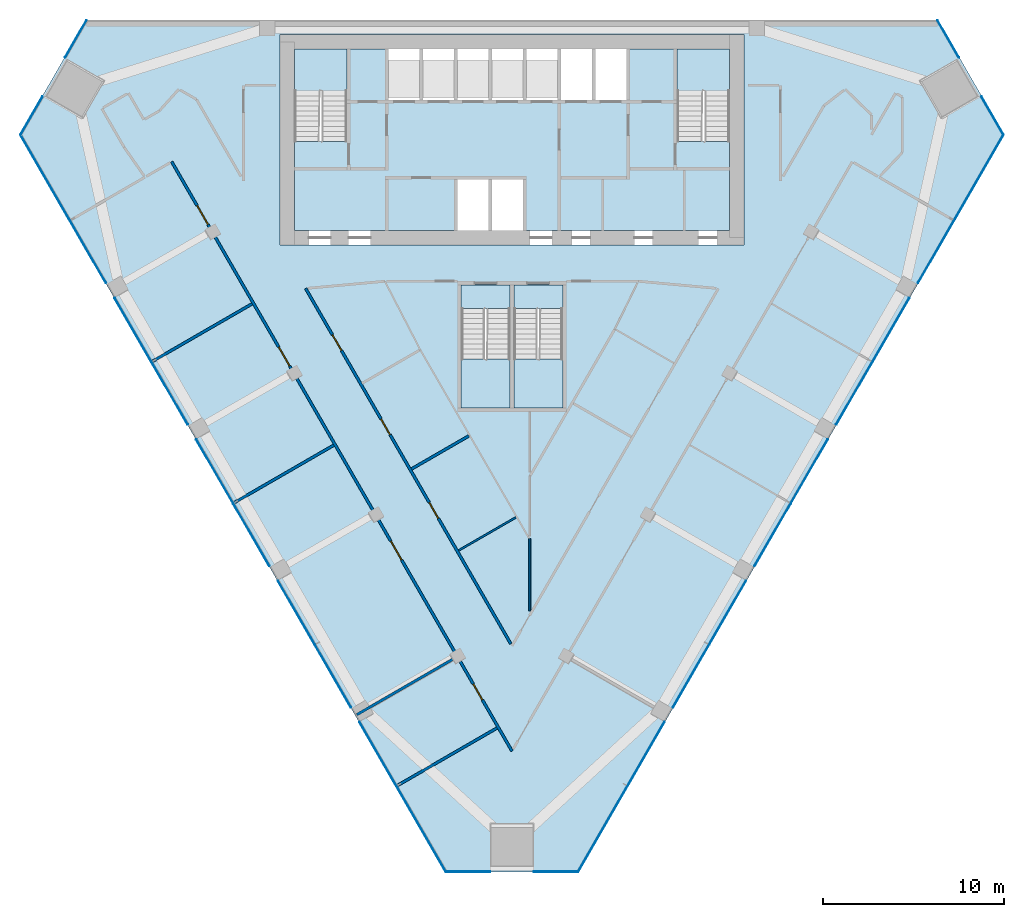
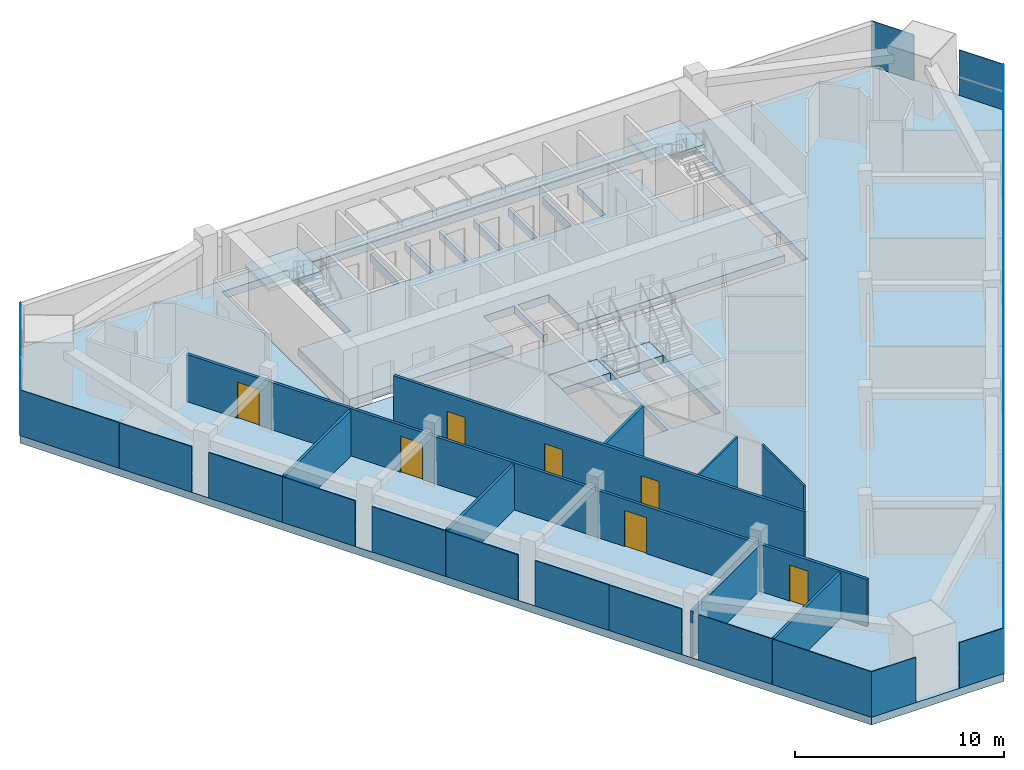
# One storey, part 8 of 13: 26 plates, 9 walls, 8 slabs, 7 doors, 7 openings, 9 elements without a shape of their own.
"""IFC4 building model written with IfcOpenShell, lengths in metres."""

from ifc_helpers import new_model, si_unit, direction, frame, frame_2d, origin, origin_2d, place, context, subcontext, project, spatial, polyline, rectangle, outline, extrude, material, layer, layer_set, type_object, element, fill, aggregate, save


model = new_model("IFC4")

# Units and contexts
model_context = context("Model", 3, precision=1e-05, world=origin(), true_north=direction((0.0, 1.0)))
body_context = subcontext(model_context, "Body", "Model", "MODEL_VIEW")
ifc_project = project(units=[si_unit("LENGTHUNIT", "METRE"), si_unit("AREAUNIT", "SQUARE_METRE"), si_unit("VOLUMEUNIT", "CUBIC_METRE"), si_unit("PLANEANGLEUNIT", "RADIAN"), si_unit("MASSUNIT", "GRAM", prefix="KILO")], contexts=[model_context])

# Site, building, storey
site_placement = place(None, origin())
site = spatial("IfcSite", under=ifc_project, at=site_placement, CompositionType="ELEMENT")
building_placement = place(site_placement, origin())
building = spatial("IfcBuilding", under=site, at=building_placement, Name="Altiplano Prism Tower", CompositionType="ELEMENT")
storey_placement = place(building_placement, frame((0.0, 0.0, 153.0)))
storey = spatial("IfcBuildingStorey", under=building, at=storey_placement, Name="L39", CompositionType="ELEMENT", Elevation=153.0)

# Curtain wall, plates
ifc_material_1 = material(Name="Aluminium and glass", Category="aluminium")
ifc_layer_1 = layer(ifc_material_1, 0.303955078125)
ifc_layer_set_1 = layer_set([ifc_layer_1], Name="Aluminium and glass")
curtain_wall_type = type_object("IfcCurtainWallType", Name="CW2 lounge-band unitised glazing", PredefinedType="NOTDEFINED", material=ifc_layer_set_1)
curtain_wall_1_placement = place(storey_placement, origin())
curtain_wall_1 = element("IfcCurtainWall", 1, at=curtain_wall_1_placement, inside=storey, type_object=curtain_wall_type, Name="CW2 curtain wall north-west chamfer L39", PredefinedType="NOTDEFINED")
ifc_material_2 = material(Name="Clear glass", Category="glass")
ifc_layer_2 = layer(ifc_material_2, 0.0439453125)
ifc_layer_set_2 = layer_set([ifc_layer_2], Name="Clear glass")
plate_type = type_object("IfcPlateType", Name="CW2 insulated glass unit 44", PredefinedType="CURTAIN_PANEL", material=ifc_layer_set_2)
plate_1_placement = place(storey_placement, frame((60.9580078125, 103.96142578125, 0.0), z_axis=(0.0, 0.0, 1.0), x_axis=(-0.500000010036, -0.86602539799, 0.0)))
plate_1 = element("IfcPlate", 2, at=plate_1_placement, type_object=plate_type, Name="CW2 panel", PredefinedType="CURTAIN_PANEL", context=body_context, shape_type="SweptSolid", body=[
    extrude(rectangle(XDim=2.363037109375, YDim=0.0439453125, at=origin_2d()), origin(), (0.0, 0.0, 1.0), 2.64990234375),
])
plate_2_placement = place(storey_placement, frame((58.511474609375, 99.723876953125, 0.0), z_axis=(0.0, 0.0, 1.0), x_axis=(-0.500000010036, -0.86602539799, 0.0)))
plate_2 = element("IfcPlate", 3, at=plate_2_placement, type_object=plate_type, Name="CW2 panel", PredefinedType="CURTAIN_PANEL", context=body_context, shape_type="SweptSolid", body=[
    extrude(rectangle(XDim=2.443115234375, YDim=0.0439453125, at=origin_2d()), origin(), (0.0, 0.0, 1.0), 2.64990234375),
])
aggregate(curtain_wall_1, [plate_1, plate_2])

curtain_wall_2_placement = place(storey_placement, origin())
curtain_wall_2 = element("IfcCurtainWall", 4, at=curtain_wall_2_placement, inside=storey, type_object=curtain_wall_type, Name="CW2 curtain wall south-west face L39", PredefinedType="NOTDEFINED")
plate_3_placement = place(storey_placement, frame((59.26513671875, 96.316162109375, 0.0), z_axis=(0.0, 0.0, 1.0), x_axis=(0.499999999516, -0.866025404064, 0.0)))
plate_3 = element("IfcPlate", 5, at=plate_3_placement, type_object=plate_type, Name="CW2 panel", PredefinedType="CURTAIN_PANEL", context=body_context, shape_type="SweptSolid", body=[
    extrude(rectangle(XDim=5.457763671875, YDim=0.0439453125, at=origin_2d()), origin(), (0.0, 0.0, 1.0), 2.64990234375),
])
plate_4_placement = place(storey_placement, frame((61.631103515625, 92.218505859375, 0.0), z_axis=(0.0, 0.0, 1.0), x_axis=(0.499999999516, -0.866025404064, 0.0)))
plate_4 = element("IfcPlate", 6, at=plate_4_placement, type_object=plate_type, Name="CW2 panel", PredefinedType="CURTAIN_PANEL", context=body_context, shape_type="SweptSolid", body=[
    extrude(rectangle(XDim=3.985595703125, YDim=0.0439453125, at=origin_2d()), origin(), (0.0, 0.0, 1.0), 2.64990234375),
])
plate_5_placement = place(storey_placement, frame((64.113525390625, 87.918701171875, 0.0), z_axis=(0.0, 0.0, 1.0), x_axis=(0.499999999516, -0.866025404064, 0.0)))
plate_5 = element("IfcPlate", 7, at=plate_5_placement, type_object=plate_type, Name="CW2 panel", PredefinedType="CURTAIN_PANEL", context=body_context, shape_type="SweptSolid", body=[
    extrude(rectangle(XDim=4.064453125, YDim=0.0439453125, at=origin_2d()), origin(), (0.0, 0.0, 1.0), 2.64990234375),
])
plate_6_placement = place(storey_placement, frame((66.131103515625, 84.42431640625, 0.0), z_axis=(0.0, 0.0, 1.0), x_axis=(0.499999999516, -0.866025404064, 0.0)))
plate_6 = element("IfcPlate", 8, at=plate_6_placement, type_object=plate_type, Name="CW2 panel", PredefinedType="CURTAIN_PANEL", context=body_context, shape_type="SweptSolid", body=[
    extrude(rectangle(XDim=3.985595703125, YDim=0.0439453125, at=origin_2d()), origin(), (0.0, 0.0, 1.0), 2.64990234375),
])
plate_7_placement = place(storey_placement, frame((68.613525390625, 80.124267578125, 0.0), z_axis=(0.0, 0.0, 1.0), x_axis=(0.499999999516, -0.866025404064, 0.0)))
plate_7 = element("IfcPlate", 9, at=plate_7_placement, type_object=plate_type, Name="CW2 panel", PredefinedType="CURTAIN_PANEL", context=body_context, shape_type="SweptSolid", body=[
    extrude(rectangle(XDim=4.064453125, YDim=0.0439453125, at=origin_2d()), origin(), (0.0, 0.0, 1.0), 2.64990234375),
])
plate_8_placement = place(storey_placement, frame((70.631103515625, 76.630126953125, 0.0), z_axis=(0.0, 0.0, 1.0), x_axis=(0.499999999516, -0.866025404064, 0.0)))
plate_8 = element("IfcPlate", 10, at=plate_8_placement, type_object=plate_type, Name="CW2 panel", PredefinedType="CURTAIN_PANEL", context=body_context, shape_type="SweptSolid", body=[
    extrude(rectangle(XDim=3.985595703125, YDim=0.0439453125, at=origin_2d()), origin(), (0.0, 0.0, 1.0), 2.64990234375),
])
plate_9_placement = place(storey_placement, frame((73.113525390625, 72.330078125, 0.0), z_axis=(0.0, 0.0, 1.0), x_axis=(0.499999999516, -0.866025404064, 0.0)))
plate_9 = element("IfcPlate", 11, at=plate_9_placement, type_object=plate_type, Name="CW2 panel", PredefinedType="CURTAIN_PANEL", context=body_context, shape_type="SweptSolid", body=[
    extrude(rectangle(XDim=4.064453125, YDim=0.0439453125, at=origin_2d()), origin(), (0.0, 0.0, 1.0), 2.64990234375),
])
plate_10_placement = place(storey_placement, frame((75.131103515625, 68.835693359375, 0.0), z_axis=(0.0, 0.0, 1.0), x_axis=(0.499999999516, -0.866025404064, 0.0)))
plate_10 = element("IfcPlate", 12, at=plate_10_placement, type_object=plate_type, Name="CW2 panel", PredefinedType="CURTAIN_PANEL", context=body_context, shape_type="SweptSolid", body=[
    extrude(rectangle(XDim=3.985595703125, YDim=0.0439453125, at=origin_2d()), origin(), (0.0, 0.0, 1.0), 2.64990234375),
])
plate_11_placement = place(storey_placement, frame((77.613525390625, 64.535888671875, 0.0), z_axis=(0.0, 0.0, 1.0), x_axis=(0.499999999516, -0.866025404064, 0.0)))
plate_11 = element("IfcPlate", 13, at=plate_11_placement, type_object=plate_type, Name="CW2 panel", PredefinedType="CURTAIN_PANEL", context=body_context, shape_type="SweptSolid", body=[
    extrude(rectangle(XDim=4.064453125, YDim=0.0439453125, at=origin_2d()), origin(), (0.0, 0.0, 1.0), 2.64990234375),
])
plate_12_placement = place(storey_placement, frame((79.9990234375, 60.404052734375, 0.0), z_axis=(0.0, 0.0, 1.0), x_axis=(0.499999999516, -0.866025404064, 0.0)))
plate_12 = element("IfcPlate", 14, at=plate_12_placement, type_object=plate_type, Name="CW2 panel", PredefinedType="CURTAIN_PANEL", context=body_context, shape_type="SweptSolid", body=[
    extrude(rectangle(XDim=5.457763671875, YDim=0.0439453125, at=origin_2d()), origin(), (0.0, 0.0, 1.0), 2.64990234375),
])
aggregate(curtain_wall_2, [plate_3, plate_4, plate_5, plate_6, plate_7, plate_8, plate_9, plate_10, plate_11, plate_12])

curtain_wall_3_placement = place(storey_placement, origin())
curtain_wall_3 = element("IfcCurtainWall", 15, at=curtain_wall_3_placement, inside=storey, type_object=curtain_wall_type, Name="CW2 curtain wall south chamfer L39", PredefinedType="NOTDEFINED")
plate_13_placement = place(storey_placement, frame((82.573486328125, 58.04736328125, 0.0), z_axis=(0.0, 0.0, 1.0), x_axis=(1.0, 0.0, 0.0)))
plate_13 = element("IfcPlate", 16, at=plate_13_placement, type_object=plate_type, Name="CW2 panel", PredefinedType="CURTAIN_PANEL", context=body_context, shape_type="SweptSolid", body=[
    extrude(rectangle(XDim=2.443115234375, YDim=0.0439453125, at=origin_2d()), origin(), (0.0, 0.0, 1.0), 2.64990234375),
])
plate_14_placement = place(storey_placement, frame((87.426513671875, 58.04736328125, 0.0), z_axis=(0.0, 0.0, 1.0), x_axis=(1.0, 0.0, 0.0)))
plate_14 = element("IfcPlate", 17, at=plate_14_placement, type_object=plate_type, Name="CW2 panel", PredefinedType="CURTAIN_PANEL", context=body_context, shape_type="SweptSolid", body=[
    extrude(rectangle(XDim=2.443115234375, YDim=0.0439453125, at=origin_2d()), origin(), (0.0, 0.0, 1.0), 2.64990234375),
])
aggregate(curtain_wall_3, [plate_13, plate_14])

curtain_wall_4_placement = place(storey_placement, origin())
curtain_wall_4 = element("IfcCurtainWall", 18, at=curtain_wall_4_placement, inside=storey, type_object=curtain_wall_type, Name="CW2 curtain wall south-east face L39", PredefinedType="NOTDEFINED")
plate_15_placement = place(storey_placement, frame((90.0009765625, 60.404052734375, 0.0), z_axis=(0.0, 0.0, 1.0), x_axis=(0.499999999516, 0.866025404064, 0.0)))
plate_15 = element("IfcPlate", 19, at=plate_15_placement, type_object=plate_type, Name="CW2 panel", PredefinedType="CURTAIN_PANEL", context=body_context, shape_type="SweptSolid", body=[
    extrude(rectangle(XDim=5.457763671875, YDim=0.0439453125, at=origin_2d()), origin(), (0.0, 0.0, 1.0), 2.64990234375),
])
plate_16_placement = place(storey_placement, frame((92.386474609375, 64.535888671875, 0.0), z_axis=(0.0, 0.0, 1.0), x_axis=(0.499999999516, 0.866025404064, 0.0)))
plate_16 = element("IfcPlate", 20, at=plate_16_placement, type_object=plate_type, Name="CW2 panel", PredefinedType="CURTAIN_PANEL", context=body_context, shape_type="SweptSolid", body=[
    extrude(rectangle(XDim=4.064453125, YDim=0.0439453125, at=origin_2d()), origin(), (0.0, 0.0, 1.0), 2.64990234375),
])
plate_17_placement = place(storey_placement, frame((94.868896484375, 68.835693359375, 0.0), z_axis=(0.0, 0.0, 1.0), x_axis=(0.499999999516, 0.866025404064, 0.0)))
plate_17 = element("IfcPlate", 21, at=plate_17_placement, type_object=plate_type, Name="CW2 panel", PredefinedType="CURTAIN_PANEL", context=body_context, shape_type="SweptSolid", body=[
    extrude(rectangle(XDim=3.985595703125, YDim=0.0439453125, at=origin_2d()), origin(), (0.0, 0.0, 1.0), 2.64990234375),
])
plate_18_placement = place(storey_placement, frame((96.886474609375, 72.330078125, 0.0), z_axis=(0.0, 0.0, 1.0), x_axis=(0.499999999516, 0.866025404064, 0.0)))
plate_18 = element("IfcPlate", 22, at=plate_18_placement, type_object=plate_type, Name="CW2 panel", PredefinedType="CURTAIN_PANEL", context=body_context, shape_type="SweptSolid", body=[
    extrude(rectangle(XDim=4.064453125, YDim=0.0439453125, at=origin_2d()), origin(), (0.0, 0.0, 1.0), 2.64990234375),
])
plate_19_placement = place(storey_placement, frame((99.368896484375, 76.630126953125, 0.0), z_axis=(0.0, 0.0, 1.0), x_axis=(0.499999999516, 0.866025404064, 0.0)))
plate_19 = element("IfcPlate", 23, at=plate_19_placement, type_object=plate_type, Name="CW2 panel", PredefinedType="CURTAIN_PANEL", context=body_context, shape_type="SweptSolid", body=[
    extrude(rectangle(XDim=3.985595703125, YDim=0.0439453125, at=origin_2d()), origin(), (0.0, 0.0, 1.0), 2.64990234375),
])
plate_20_placement = place(storey_placement, frame((101.386474609375, 80.124267578125, 0.0), z_axis=(0.0, 0.0, 1.0), x_axis=(0.499999999516, 0.866025404064, 0.0)))
plate_20 = element("IfcPlate", 24, at=plate_20_placement, type_object=plate_type, Name="CW2 panel", PredefinedType="CURTAIN_PANEL", context=body_context, shape_type="SweptSolid", body=[
    extrude(rectangle(XDim=4.064453125, YDim=0.0439453125, at=origin_2d()), origin(), (0.0, 0.0, 1.0), 2.64990234375),
])
plate_21_placement = place(storey_placement, frame((103.868896484375, 84.42431640625, 0.0), z_axis=(0.0, 0.0, 1.0), x_axis=(0.499999999516, 0.866025404064, 0.0)))
plate_21 = element("IfcPlate", 25, at=plate_21_placement, type_object=plate_type, Name="CW2 panel", PredefinedType="CURTAIN_PANEL", context=body_context, shape_type="SweptSolid", body=[
    extrude(rectangle(XDim=3.985595703125, YDim=0.0439453125, at=origin_2d()), origin(), (0.0, 0.0, 1.0), 2.64990234375),
])
plate_22_placement = place(storey_placement, frame((105.886474609375, 87.918701171875, 0.0), z_axis=(0.0, 0.0, 1.0), x_axis=(0.499999999516, 0.866025404064, 0.0)))
plate_22 = element("IfcPlate", 26, at=plate_22_placement, type_object=plate_type, Name="CW2 panel", PredefinedType="CURTAIN_PANEL", context=body_context, shape_type="SweptSolid", body=[
    extrude(rectangle(XDim=4.064453125, YDim=0.0439453125, at=origin_2d()), origin(), (0.0, 0.0, 1.0), 2.64990234375),
])
plate_23_placement = place(storey_placement, frame((108.368896484375, 92.218505859375, 0.0), z_axis=(0.0, 0.0, 1.0), x_axis=(0.499999999516, 0.866025404064, 0.0)))
plate_23 = element("IfcPlate", 27, at=plate_23_placement, type_object=plate_type, Name="CW2 panel", PredefinedType="CURTAIN_PANEL", context=body_context, shape_type="SweptSolid", body=[
    extrude(rectangle(XDim=3.985595703125, YDim=0.0439453125, at=origin_2d()), origin(), (0.0, 0.0, 1.0), 2.64990234375),
])
plate_24_placement = place(storey_placement, frame((110.73486328125, 96.316162109375, 0.0), z_axis=(0.0, 0.0, 1.0), x_axis=(0.499999999516, 0.866025404064, 0.0)))
plate_24 = element("IfcPlate", 28, at=plate_24_placement, type_object=plate_type, Name="CW2 panel", PredefinedType="CURTAIN_PANEL", context=body_context, shape_type="SweptSolid", body=[
    extrude(rectangle(XDim=5.457763671875, YDim=0.0439453125, at=origin_2d()), origin(), (0.0, 0.0, 1.0), 2.64990234375),
])
aggregate(curtain_wall_4, [plate_15, plate_16, plate_17, plate_18, plate_19, plate_20, plate_21, plate_22, plate_23, plate_24])

curtain_wall_5_placement = place(storey_placement, origin())
curtain_wall_5 = element("IfcCurtainWall", 29, at=curtain_wall_5_placement, inside=storey, type_object=curtain_wall_type, Name="CW2 curtain wall north-east chamfer L39", PredefinedType="NOTDEFINED")
plate_25_placement = place(storey_placement, frame((111.488525390625, 99.723876953125, 0.0), z_axis=(0.0, 0.0, 1.0), x_axis=(-0.500000010036, 0.86602539799, 0.0)))
plate_25 = element("IfcPlate", 30, at=plate_25_placement, type_object=plate_type, Name="CW2 panel", PredefinedType="CURTAIN_PANEL", context=body_context, shape_type="SweptSolid", body=[
    extrude(rectangle(XDim=2.443115234375, YDim=0.0439453125, at=origin_2d()), origin(), (0.0, 0.0, 1.0), 2.64990234375),
])
plate_26_placement = place(storey_placement, frame((109.0419921875, 103.96142578125, 0.0), z_axis=(0.0, 0.0, 1.0), x_axis=(-0.500000010036, 0.86602539799, 0.0)))
plate_26 = element("IfcPlate", 31, at=plate_26_placement, type_object=plate_type, Name="CW2 panel", PredefinedType="CURTAIN_PANEL", context=body_context, shape_type="SweptSolid", body=[
    extrude(rectangle(XDim=2.363037109375, YDim=0.0439453125, at=origin_2d()), origin(), (0.0, 0.0, 1.0), 2.64990234375),
])
aggregate(curtain_wall_5, [plate_25, plate_26])

# Slabs
ifc_material_3 = material(Name="Concrete C40/50", Category="concrete")
ifc_layer_3 = layer(ifc_material_3, 0.449951171875)
ifc_layer_set_3 = layer_set([ifc_layer_3], Name="Concrete C40/50")
slab_type_1 = type_object("IfcSlabType", Name="Core floor slab 450", PredefinedType="FLOOR", material=ifc_layer_set_3)
slab_1_placement = place(storey_placement, frame((0.0, 0.0, -0.449951171875)))
element("IfcSlab", 32, at=slab_1_placement, inside=storey, type_object=slab_type_1, Name="Core floor slab L39", PredefinedType="FLOOR", context=body_context, shape_type="SweptSolid", body=[
    extrude(outline(polyline([(97.0, 98.31005859375), (94.10009765625, 98.31005859375), (94.10009765625, 103.39990234375), (91.300048828125, 103.39990234375), (91.300048828125, 100.60009765625), (89.60009765625, 100.60009765625), (89.60009765625, 103.39990234375), (89.39990234375, 103.39990234375), (89.39990234375, 100.60009765625), (87.699951171875, 100.60009765625), (87.699951171875, 103.39990234375), (87.5, 103.39990234375), (87.5, 100.60009765625), (85.800048828125, 100.60009765625), (85.800048828125, 103.39990234375), (85.60009765625, 103.39990234375), (85.60009765625, 100.60009765625), (83.89990234375, 100.60009765625), (83.89990234375, 103.39990234375), (83.699951171875, 103.39990234375), (83.699951171875, 100.60009765625), (82.0, 100.60009765625), (82.0, 103.39990234375), (81.800048828125, 103.39990234375), (81.800048828125, 100.60009765625), (80.10009765625, 100.60009765625), (80.10009765625, 103.39990234375), (79.89990234375, 103.39990234375), (79.89990234375, 100.60009765625), (78.199951171875, 100.60009765625), (78.199951171875, 103.39990234375), (75.89990234375, 103.39990234375), (75.89990234375, 98.31005859375), (73.0, 98.31005859375), (73.0, 93.39990234375), (82.0, 93.39990234375), (82.0, 96.199951171875), (83.699951171875, 96.199951171875), (83.699951171875, 93.39990234375), (83.89990234375, 93.39990234375), (83.89990234375, 96.199951171875), (85.60009765625, 96.199951171875), (85.60009765625, 93.39990234375), (97.0, 93.39990234375), (97.0, 98.31005859375)])), origin(), (0.0, 0.0, 1.0), 0.449951171875),
])
slab_2_placement = place(storey_placement, frame((0.0, 0.0, -0.449951171875)))
element("IfcSlab", 33, at=slab_2_placement, inside=storey, type_object=slab_type_1, Name="Stair 3A landing slab L39", PredefinedType="FLOOR", context=body_context, shape_type="SweptSolid", body=[
    extrude(outline(polyline([(82.199951171875, 89.096923828125), (84.89990234375, 89.096923828125), (84.89990234375, 90.39990234375), (82.199951171875, 90.39990234375), (82.199951171875, 89.096923828125)])), origin(), (0.0, 0.0, 1.0), 0.449951171875),
])
slab_3_placement = place(storey_placement, frame((0.0, 0.0, -0.449951171875)))
element("IfcSlab", 34, at=slab_3_placement, inside=storey, type_object=slab_type_1, Name="Stair 3B landing slab L39", PredefinedType="FLOOR", context=body_context, shape_type="SweptSolid", body=[
    extrude(outline(polyline([(85.10009765625, 89.096923828125), (87.800048828125, 89.096923828125), (87.800048828125, 90.39990234375), (85.10009765625, 90.39990234375), (85.10009765625, 89.096923828125)])), origin(), (0.0, 0.0, 1.0), 0.449951171875),
])
ifc_layer_4 = layer(ifc_material_3, 0.449951171875)
ifc_layer_set_4 = layer_set([ifc_layer_4], Name="Concrete C40/50")
slab_type_2 = type_object("IfcSlabType", Name="Post-tensioned flat slab 450", PredefinedType="FLOOR", material=ifc_layer_set_4)
slab_4_placement = place(storey_placement, frame((0.0, 0.0, -0.449951171875)))
element("IfcSlab", 35, at=slab_4_placement, inside=storey, type_object=slab_type_2, Name="Floor slab L39", PredefinedType="FLOOR", context=body_context, shape_type="SweptSolid", body=[
    extrude(outline(polyline([(81.346923828125, 58.025390625), (57.879150390625, 98.6728515625), (61.5322265625, 105.0), (108.4677734375, 105.0), (112.120849609375, 98.6728515625), (88.653076171875, 58.025390625), (81.346923828125, 58.025390625)]), holes=[polyline([(72.199951171875, 104.199951171875), (72.199951171875, 92.60009765625), (97.800048828125, 92.60009765625), (97.800048828125, 104.199951171875), (72.199951171875, 104.199951171875)]), polyline([(84.89990234375, 90.39990234375), (82.199951171875, 90.39990234375), (82.199951171875, 83.60009765625), (84.89990234375, 83.60009765625), (84.89990234375, 90.39990234375)]), polyline([(87.800048828125, 83.60009765625), (87.800048828125, 90.39990234375), (85.10009765625, 90.39990234375), (85.10009765625, 83.60009765625), (87.800048828125, 83.60009765625)])]), origin(), (0.0, 0.0, 1.0), 0.449951171875),
])

# Stair, slab
stair_type_1 = type_object("IfcStairType", Name="Exit stair 1400", PredefinedType="HALF_TURN_STAIR", material=ifc_material_3)
stair_1_placement = place(storey_placement, origin())
stair_1 = element("IfcStair", 36, at=stair_1_placement, inside=storey, type_object=stair_type_1, Name="L39 Exit Stair 1", PredefinedType="HALF_TURN_STAIR")
ifc_layer_5 = layer(ifc_material_3, 0.199951171875)
ifc_layer_set_5 = layer_set([ifc_layer_5], Name="Concrete C40/50")
slab_type_3 = type_object("IfcSlabType", Name="Stair landing 200", PredefinedType="LANDING", material=ifc_layer_set_5)
slab_5_placement = place(storey_placement, frame((0.0, 0.0, 1.60009765625)))
slab_5 = element("IfcSlab", 37, at=slab_5_placement, type_object=slab_type_3, Name="ST1 landing 1", PredefinedType="LANDING", context=body_context, shape_type="SweptSolid", body=[
    extrude(outline(polyline([(75.89990234375, 101.096923828125), (75.89990234375, 103.39990234375), (73.0, 103.39990234375), (73.0, 101.096923828125), (75.89990234375, 101.096923828125)])), origin(), (0.0, 0.0, 1.0), 0.199951171875),
])
aggregate(stair_1, [slab_5])

stair_2_placement = place(storey_placement, origin())
stair_2 = element("IfcStair", 38, at=stair_2_placement, inside=storey, type_object=stair_type_1, Name="L39 Exit Stair 2", PredefinedType="HALF_TURN_STAIR")
slab_6_placement = place(storey_placement, frame((0.0, 0.0, 1.60009765625)))
slab_6 = element("IfcSlab", 39, at=slab_6_placement, type_object=slab_type_3, Name="ST2 landing 1", PredefinedType="LANDING", context=body_context, shape_type="SweptSolid", body=[
    extrude(outline(polyline([(97.0, 101.096923828125), (97.0, 103.39990234375), (94.10009765625, 103.39990234375), (94.10009765625, 101.096923828125), (97.0, 101.096923828125)])), origin(), (0.0, 0.0, 1.0), 0.199951171875),
])
aggregate(stair_2, [slab_6])

stair_type_2 = type_object("IfcStairType", Name="Exit stair 1300", PredefinedType="HALF_TURN_STAIR", material=ifc_material_3)
stair_3_placement = place(storey_placement, origin())
stair_3 = element("IfcStair", 40, at=stair_3_placement, inside=storey, type_object=stair_type_2, Name="L39 Exit Stair 3A", PredefinedType="HALF_TURN_STAIR")
slab_7_placement = place(storey_placement, frame((0.0, 0.0, 1.60009765625)))
slab_7 = element("IfcSlab", 41, at=slab_7_placement, type_object=slab_type_3, Name="ST3A landing 1", PredefinedType="LANDING", context=body_context, shape_type="SweptSolid", body=[
    extrude(outline(polyline([(82.199951171875, 86.302978515625), (82.199951171875, 83.60009765625), (84.89990234375, 83.60009765625), (84.89990234375, 86.302978515625), (82.199951171875, 86.302978515625)])), origin(), (0.0, 0.0, 1.0), 0.199951171875),
])
aggregate(stair_3, [slab_7])

stair_4_placement = place(storey_placement, origin())
stair_4 = element("IfcStair", 42, at=stair_4_placement, inside=storey, type_object=stair_type_2, Name="L39 Exit Stair 3B", PredefinedType="HALF_TURN_STAIR")
slab_8_placement = place(storey_placement, frame((0.0, 0.0, 1.60009765625)))
slab_8 = element("IfcSlab", 43, at=slab_8_placement, type_object=slab_type_3, Name="ST3B landing 1", PredefinedType="LANDING", context=body_context, shape_type="SweptSolid", body=[
    extrude(outline(polyline([(85.10009765625, 86.302978515625), (85.10009765625, 83.60009765625), (87.800048828125, 83.60009765625), (87.800048828125, 86.302978515625), (85.10009765625, 86.302978515625)])), origin(), (0.0, 0.0, 1.0), 0.199951171875),
])
aggregate(stair_4, [slab_8])

# Walls
ifc_material_4 = material(Name="Plasterboard on steel stud", Category="steel")
ifc_layer_6 = layer(ifc_material_4, 0.10009765625)
ifc_layer_set_6 = layer_set([ifc_layer_6], Name="Plasterboard on steel stud")
wall_type_1 = type_object("IfcWallType", Name="Partition 100 wet", PredefinedType="PARTITIONING", material=ifc_layer_set_6)
wall_1_placement = place(storey_placement, frame((85.21728515625, 77.5830078125, 0.0), z_axis=(0.0, 0.0, 1.0), x_axis=(-0.866039890647, -0.499974907178, 0.0)))
element("IfcWall", 44, at=wall_1_placement, inside=storey, type_object=wall_type_1, Name="Partition P03 L39 033", PredefinedType="PARTITIONING", context=body_context, shape_type="SweptSolid", body=[
    extrude(rectangle(XDim=3.655517578125, YDim=0.10009765625, at=frame_2d((1.82763671875, 0.0))), origin(), (0.0, 0.0, 1.0), 3.14990234375),
])
wall_2_placement = place(storey_placement, frame((85.9765625, 72.42626953125, 0.0), z_axis=(0.0, 0.0, 1.0), x_axis=(0.0, 1.0, 0.0)))
element("IfcWall", 45, at=wall_2_placement, inside=storey, type_object=wall_type_1, Name="Partition P03 L39 034", PredefinedType="PARTITIONING", context=body_context, shape_type="SweptSolid", body=[
    extrude(rectangle(XDim=3.98193359375, YDim=0.10009765625, at=frame_2d((1.990966796875, 0.0))), origin(), (0.0, 0.0, 1.0), 3.14990234375),
])

# Wall, openings, doors
ifc_layer_7 = layer(ifc_material_4, 0.14990234375)
ifc_layer_set_7 = layer_set([ifc_layer_7], Name="Plasterboard on steel stud")
wall_type_2 = type_object("IfcWallType", Name="Partition 150 corridor", PredefinedType="PARTITIONING", material=ifc_layer_set_7)
wall_3_placement = place(storey_placement, frame((84.93505859375, 70.61083984375, 0.0), z_axis=(0.0, 0.0, 1.0), x_axis=(-0.500001185521, 0.866024719323, 0.0)))
wall_3 = element("IfcWall", 46, at=wall_3_placement, inside=storey, type_object=wall_type_2, Name="Partition P06 L39 002", PredefinedType="PARTITIONING", context=body_context, shape_type="SweptSolid", body=[
    extrude(rectangle(XDim=22.61962890625, YDim=0.14990234375, at=frame_2d((11.309814453125, 0.0))), origin(), (0.0, 0.0, 1.0), 3.14990234375),
])
opening_1_placement = place(wall_3_placement, frame((18.6708984375, 0.0, 0.0)))
opening_1 = element("IfcOpeningElement", 47, at=opening_1_placement, cuts=wall_3, Name="Opening D1420", PredefinedType="OPENING", context=body_context, shape_type="SweptSolid", body=[
    extrude(rectangle(XDim=1.0, YDim=2.10009765625, at=frame_2d((0.5, 1.050048828125))), frame((0.0, 0.08544921875, 0.0), z_axis=(0.0, -1.0, 0.0), x_axis=(1.0, 0.0, 0.0)), (0.0, 0.0, 1.0), 0.1708984375),
])
opening_2_placement = place(wall_3_placement, frame((7.990966796875, 0.0, 0.0)))
opening_2 = element("IfcOpeningElement", 48, at=opening_2_placement, cuts=wall_3, Name="Opening D1421", PredefinedType="OPENING", context=body_context, shape_type="SweptSolid", body=[
    extrude(rectangle(XDim=1.0, YDim=2.10009765625, at=frame_2d((0.5, 1.050048828125))), frame((0.0, 0.08544921875, 0.0), z_axis=(0.0, -1.0, 0.0), x_axis=(1.0, 0.0, 0.0)), (0.0, 0.0, 1.0), 0.1708984375),
])
opening_3_placement = place(wall_3_placement, frame((13.31103515625, 0.0, 0.0)))
opening_3 = element("IfcOpeningElement", 49, at=opening_3_placement, cuts=wall_3, Name="Opening D1434", PredefinedType="OPENING", context=body_context, shape_type="SweptSolid", body=[
    extrude(rectangle(XDim=1.0, YDim=2.10009765625, at=frame_2d((0.5, 1.050048828125))), frame((0.0, 0.08544921875, 0.0), z_axis=(0.0, -1.0, 0.0), x_axis=(1.0, 0.0, 0.0)), (0.0, 0.0, 1.0), 0.1708984375),
])
ifc_material_5 = material(Name="Timber", Category="wood")
door_type_1 = type_object("IfcDoorType", Name="Room door 1000 x 2100", OperationType="NOTDEFINED", PredefinedType="NOTDEFINED", material=ifc_material_5)
door_1_placement = place(opening_3_placement, origin())
door_1 = element("IfcDoor", 50, at=door_1_placement, inside=storey, type_object=door_type_1, Name="Door D1434", OperationType="SINGLE_SWING_RIGHT", OverallHeight=2.10009765625, OverallWidth=1.0, PredefinedType="NOTDEFINED", context=body_context, shape_type="SweptSolid", body=[
    extrude(rectangle(XDim=1.0, YDim=2.10009765625, at=frame_2d((0.5, 1.050048828125))), frame((0.0, 0.02490234375, 0.0), z_axis=(0.0, -1.0, 0.0), x_axis=(1.0, 0.0, 0.0)), (0.0, 0.0, 1.0), 0.050048828125),
])
fill(opening_3, door_1)
door_type_2 = type_object("IfcDoorType", Name="Store door 1000 x 2100", OperationType="NOTDEFINED", PredefinedType="NOTDEFINED", material=ifc_material_5)
door_2_placement = place(opening_1_placement, origin())
door_2 = element("IfcDoor", 51, at=door_2_placement, inside=storey, type_object=door_type_2, Name="Door D1420", OperationType="SINGLE_SWING_RIGHT", OverallHeight=2.10009765625, OverallWidth=1.0, PredefinedType="NOTDEFINED", context=body_context, shape_type="SweptSolid", body=[
    extrude(rectangle(XDim=1.0, YDim=2.10009765625, at=frame_2d((0.5, 1.050048828125))), frame((0.0, 0.02490234375, 0.0), z_axis=(0.0, -1.0, 0.0), x_axis=(1.0, 0.0, 0.0)), (0.0, 0.0, 1.0), 0.050048828125),
])
fill(opening_1, door_2)
door_3_placement = place(opening_2_placement, origin())
door_3 = element("IfcDoor", 52, at=door_3_placement, inside=storey, type_object=door_type_2, Name="Door D1421", OperationType="SINGLE_SWING_LEFT", OverallHeight=2.10009765625, OverallWidth=1.0, PredefinedType="NOTDEFINED", context=body_context, shape_type="SweptSolid", body=[
    extrude(rectangle(XDim=1.0, YDim=2.10009765625, at=frame_2d((0.5, 1.050048828125))), frame((0.0, 0.02490234375, 0.0), z_axis=(0.0, -1.0, 0.0), x_axis=(1.0, 0.0, 0.0)), (0.0, 0.0, 1.0), 0.050048828125),
])
fill(opening_2, door_3)

wall_4_placement = place(storey_placement, frame((66.2421875, 97.1875, 0.0), z_axis=(0.0, 0.0, 1.0), x_axis=(0.500002614046, -0.866023894559, 0.0)))
wall_4 = element("IfcWall", 53, at=wall_4_placement, inside=storey, type_object=wall_type_2, Name="Partition P06 L39 006", PredefinedType="PARTITIONING", context=body_context, shape_type="SweptSolid", body=[
    extrude(rectangle(XDim=37.515380859375, YDim=0.14990234375, at=frame_2d((18.7578125, 0.0))), origin(), (0.0, 0.0, 1.0), 2.75),
])
opening_4_placement = place(wall_4_placement, frame((2.800048828125, 0.0, 0.0)))
opening_4 = element("IfcOpeningElement", 54, at=opening_4_placement, cuts=wall_4, Name="Opening D1422", PredefinedType="OPENING", context=body_context, shape_type="SweptSolid", body=[
    extrude(rectangle(XDim=1.199951171875, YDim=2.10009765625, at=frame_2d((0.60009765625, 1.050048828125))), frame((0.0, 0.08544921875, 0.0), z_axis=(0.0, -1.0, 0.0), x_axis=(1.0, 0.0, 0.0)), (0.0, 0.0, 1.0), 0.1708984375),
])
opening_5_placement = place(wall_4_placement, frame((11.800048828125, 0.0, 0.0)))
opening_5 = element("IfcOpeningElement", 55, at=opening_5_placement, cuts=wall_4, Name="Opening D1423", PredefinedType="OPENING", context=body_context, shape_type="SweptSolid", body=[
    extrude(rectangle(XDim=1.199951171875, YDim=2.10009765625, at=frame_2d((0.60009765625, 1.050048828125))), frame((0.0, 0.08544921875, 0.0), z_axis=(0.0, -1.0, 0.0), x_axis=(1.0, 0.0, 0.0)), (0.0, 0.0, 1.0), 0.1708984375),
])
opening_6_placement = place(wall_4_placement, frame((24.14990234375, 0.0, 0.0)))
opening_6 = element("IfcOpeningElement", 56, at=opening_6_placement, cuts=wall_4, Name="Opening D1424", PredefinedType="OPENING", context=body_context, shape_type="SweptSolid", body=[
    extrude(rectangle(XDim=1.199951171875, YDim=2.10009765625, at=frame_2d((0.60009765625, 1.050048828125))), frame((0.0, 0.08544921875, 0.0), z_axis=(0.0, -1.0, 0.0), x_axis=(1.0, 0.0, 0.0)), (0.0, 0.0, 1.0), 0.1708984375),
])
opening_7_placement = place(wall_4_placement, frame((33.25, 0.0, 0.0)))
opening_7 = element("IfcOpeningElement", 57, at=opening_7_placement, cuts=wall_4, Name="Opening D1425", PredefinedType="OPENING", context=body_context, shape_type="SweptSolid", body=[
    extrude(rectangle(XDim=1.0, YDim=2.10009765625, at=frame_2d((0.5, 1.050048828125))), frame((0.0, 0.08544921875, 0.0), z_axis=(0.0, -1.0, 0.0), x_axis=(1.0, 0.0, 0.0)), (0.0, 0.0, 1.0), 0.1708984375),
])
door_4_placement = place(opening_7_placement, origin())
door_4 = element("IfcDoor", 58, at=door_4_placement, inside=storey, type_object=door_type_1, Name="Door D1425", OperationType="SINGLE_SWING_LEFT", OverallHeight=2.10009765625, OverallWidth=1.0, PredefinedType="NOTDEFINED", context=body_context, shape_type="SweptSolid", body=[
    extrude(rectangle(XDim=1.0, YDim=2.10009765625, at=frame_2d((0.5, 1.050048828125))), frame((0.0, 0.02490234375, 0.0), z_axis=(0.0, -1.0, 0.0), x_axis=(1.0, 0.0, 0.0)), (0.0, 0.0, 1.0), 0.050048828125),
])
fill(opening_7, door_4)
door_type_3 = type_object("IfcDoorType", Name="Shared room door 1200 x 2100", OperationType="NOTDEFINED", PredefinedType="NOTDEFINED", material=ifc_material_5)
door_5_placement = place(opening_4_placement, origin())
door_5 = element("IfcDoor", 59, at=door_5_placement, inside=storey, type_object=door_type_3, Name="Door D1422", OperationType="SINGLE_SWING_RIGHT", OverallHeight=2.10009765625, OverallWidth=1.199951171875, PredefinedType="NOTDEFINED", context=body_context, shape_type="SweptSolid", body=[
    extrude(rectangle(XDim=1.199951171875, YDim=2.10009765625, at=frame_2d((0.60009765625, 1.050048828125))), frame((0.0, 0.02490234375, 0.0), z_axis=(0.0, -1.0, 0.0), x_axis=(1.0, 0.0, 0.0)), (0.0, 0.0, 1.0), 0.050048828125),
])
fill(opening_4, door_5)
door_6_placement = place(opening_5_placement, origin())
door_6 = element("IfcDoor", 60, at=door_6_placement, inside=storey, type_object=door_type_3, Name="Door D1423", OperationType="SINGLE_SWING_RIGHT", OverallHeight=2.10009765625, OverallWidth=1.199951171875, PredefinedType="NOTDEFINED", context=body_context, shape_type="SweptSolid", body=[
    extrude(rectangle(XDim=1.199951171875, YDim=2.10009765625, at=frame_2d((0.60009765625, 1.050048828125))), frame((0.0, 0.02490234375, 0.0), z_axis=(0.0, -1.0, 0.0), x_axis=(1.0, 0.0, 0.0)), (0.0, 0.0, 1.0), 0.050048828125),
])
fill(opening_5, door_6)
door_7_placement = place(opening_6_placement, origin())
door_7 = element("IfcDoor", 61, at=door_7_placement, inside=storey, type_object=door_type_3, Name="Door D1424", OperationType="SINGLE_SWING_LEFT", OverallHeight=2.10009765625, OverallWidth=1.199951171875, PredefinedType="NOTDEFINED", context=body_context, shape_type="SweptSolid", body=[
    extrude(rectangle(XDim=1.199951171875, YDim=2.10009765625, at=frame_2d((0.60009765625, 1.050048828125))), frame((0.0, 0.02490234375, 0.0), z_axis=(0.0, -1.0, 0.0), x_axis=(1.0, 0.0, 0.0)), (0.0, 0.0, 1.0), 0.050048828125),
])
fill(opening_6, door_7)

# Walls
ifc_layer_8 = layer(ifc_material_4, 0.14990234375)
ifc_layer_set_8 = layer_set([ifc_layer_8], Name="Plasterboard on steel stud")
wall_type_3 = type_object("IfcWallType", Name="Partition 150 party", PredefinedType="PARTITIONING", material=ifc_layer_set_8)
wall_5_placement = place(storey_placement, frame((82.62353515625, 82.07568359375, 0.0), z_axis=(0.0, 0.0, 1.0), x_axis=(-0.866010971083, -0.500024997339, 0.0)))
element("IfcWall", 62, at=wall_5_placement, inside=storey, type_object=wall_type_3, Name="Partition P01 L39 041", PredefinedType="PARTITIONING", context=body_context, shape_type="SweptSolid", body=[
    extrude(rectangle(XDim=3.655517578125, YDim=0.14990234375, at=frame_2d((1.82763671875, 0.0))), origin(), (0.0, 0.0, 1.0), 3.14990234375),
])
for number, where, z_axis, x_axis, name in (
    (63, (65.19970703125, 86.193359375, 0.0), (0.0, 0.0, 1.0), (0.866015887322, 0.500016482634, 0.0), "Partition P01 L39 042"),
    (64, (69.69970703125, 78.399169921875, 0.0), (0.0, 0.0, 1.0), (0.866032601554, 0.49998753289, 0.0), "Partition P01 L39 044"),
    (65, (76.44970703125, 66.707763671875, 0.0), (0.0, 0.0, 1.0), (0.866015887322, 0.500016482634, 0.0), "Partition P01 L39 045"),
    (66, (78.69970703125, 62.810546875, 0.0), (0.0, 0.0, 1.0), (0.866015887322, 0.500016482634, 0.0), "Partition P01 L39 046"),
):
    element("IfcWall", number, at=place(storey_placement, frame(where, z_axis=z_axis, x_axis=x_axis)), inside=storey, type_object=wall_type_3, Name=name, PredefinedType="PARTITIONING", context=body_context, shape_type="SweptSolid", body=[
        extrude(rectangle(XDim=6.324951171875, YDim=0.14990234375, at=frame_2d((3.16259765625, 0.0))), origin(), (0.0, 0.0, 1.0), 2.64990234375),
    ])

save(model, "model.ifc")
